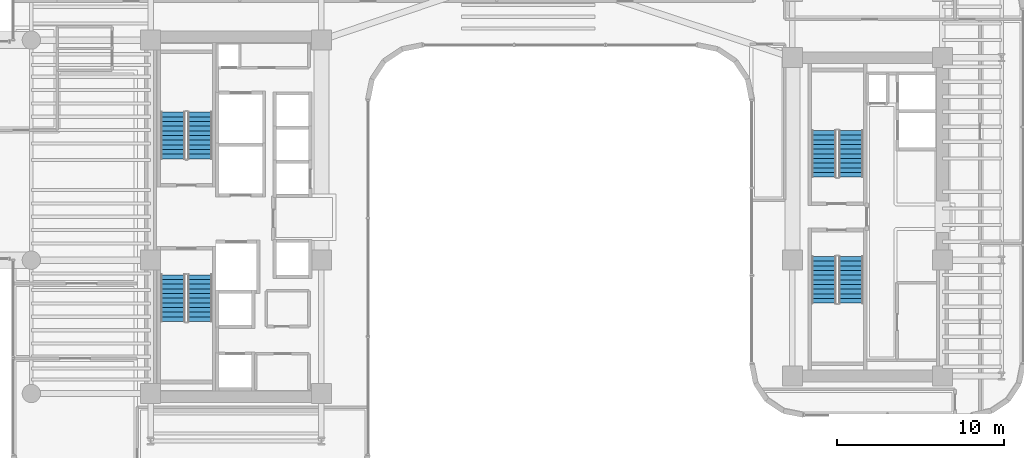
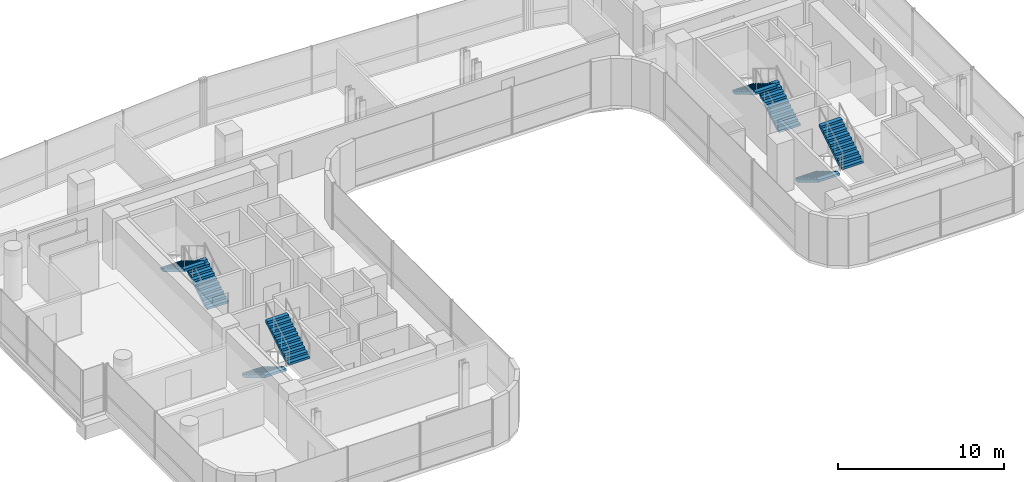
# One storey, part 30 of 34: 8 stair flights, 4 elements without a shape of their own.
"""IFC4 building model written with IfcOpenShell, lengths in metres."""

from ifc_helpers import new_model, si_unit, direction, frame, origin, place, context, subcontext, project, spatial, polyline, outline, extrude, material, type_object, element, aggregate, save


model = new_model("IFC4")

# Units and contexts
model_context = context("Model", 3, precision=1e-05, world=origin(), true_north=direction((0.0, 1.0)))
body_context = subcontext(model_context, "Body", "Model", "MODEL_VIEW")
ifc_project = project(units=[si_unit("LENGTHUNIT", "METRE"), si_unit("AREAUNIT", "SQUARE_METRE"), si_unit("VOLUMEUNIT", "CUBIC_METRE"), si_unit("PLANEANGLEUNIT", "RADIAN"), si_unit("MASSUNIT", "GRAM", prefix="KILO")], contexts=[model_context])

# Site, building, storey
site_placement = place(None, origin())
site = spatial("IfcSite", under=ifc_project, at=site_placement, CompositionType="ELEMENT")
building_placement = place(site_placement, origin())
building = spatial("IfcBuilding", under=site, at=building_placement, Name="Valdorenza Pilgrim Sanctuary Tower", CompositionType="ELEMENT")
storey_placement = place(building_placement, frame((0.0, 0.0, 142.699951171875)))
storey = spatial("IfcBuildingStorey", under=building, at=storey_placement, Name="L36", CompositionType="ELEMENT", Elevation=142.699951171875)

# Stair, stair flights
ifc_material = material(Name="Concrete C40/50", Category="concrete")
stair_type = type_object("IfcStairType", Name="STR-DOG-CORE", PredefinedType="HALF_TURN_STAIR", material=ifc_material)
stair_1_placement = place(storey_placement, origin())
stair_1 = element("IfcStair", 1, at=stair_1_placement, inside=storey, type_object=stair_type, Name="L36 ST-A1", PredefinedType="HALF_TURN_STAIR")
stair_flight_type = type_object("IfcStairFlightType", Name="STF-RC-1400", PredefinedType="STRAIGHT", material=ifc_material)
stair_flight_1_placement = place(storey_placement, frame((-19.679931640625, 3.47998046875, 0.0), z_axis=(0.0, 0.0, 1.0), x_axis=(0.0, 1.0, 0.0)))
stair_flight_1 = element("IfcStairFlight", 2, at=stair_flight_1_placement, type_object=stair_flight_type, Name="ST-A1 flight 1", NumberOfRisers=11, NumberOfTreads=10, PredefinedType="STRAIGHT", RiserHeight=0.168181818, TreadLength=0.28, context=body_context, shape_type="SweptSolid", body=[
    extrude(outline(polyline([(0.0, 0.0), (0.0, 0.168212890625), (0.280029296875, 0.168212890625), (0.280029296875, 0.33642578125), (0.56005859375, 0.33642578125), (0.56005859375, 0.504638671875), (0.840087890625, 0.504638671875), (0.840087890625, 0.672607421875), (1.1201171875, 0.672607421875), (1.1201171875, 0.8408203125), (1.39990234375, 0.8408203125), (1.39990234375, 1.009033203125), (1.679931640625, 1.009033203125), (1.679931640625, 1.17724609375), (1.9599609375, 1.17724609375), (1.9599609375, 1.345458984375), (2.239990234375, 1.345458984375), (2.239990234375, 1.513671875), (2.52001953125, 1.513671875), (2.52001953125, 1.681884765625), (2.800048828125, 1.681884765625), (2.800048828125, 1.85009765625), (2.800048828125, 1.5068359375), (0.291015625, 0.0), (0.0, 0.0)])), frame((0.0, 0.739990234375, 0.0), z_axis=(0.0, -1.0, 0.0), x_axis=(1.0, 0.0, 0.0)), (0.0, 0.0, 1.0), 1.47998046875),
])
stair_flight_2_placement = place(storey_placement, frame((-21.31005859375, 6.280029296875, 1.85009765625), z_axis=(0.0, 0.0, 1.0), x_axis=(0.0, -1.0, 0.0)))
stair_flight_2 = element("IfcStairFlight", 3, at=stair_flight_2_placement, type_object=stair_flight_type, Name="ST-A1 flight 2", NumberOfRisers=11, NumberOfTreads=10, PredefinedType="STRAIGHT", RiserHeight=0.168181818, TreadLength=0.28, context=body_context, shape_type="SweptSolid", body=[
    extrude(outline(polyline([(0.0, 0.0), (0.0, 0.168212890625), (0.280029296875, 0.168212890625), (0.280029296875, 0.33642578125), (0.56005859375, 0.33642578125), (0.56005859375, 0.504638671875), (0.840087890625, 0.504638671875), (0.840087890625, 0.672607421875), (1.1201171875, 0.672607421875), (1.1201171875, 0.8408203125), (1.39990234375, 0.8408203125), (1.39990234375, 1.009033203125), (1.679931640625, 1.009033203125), (1.679931640625, 1.17724609375), (1.9599609375, 1.17724609375), (1.9599609375, 1.345458984375), (2.239990234375, 1.345458984375), (2.239990234375, 1.513671875), (2.52001953125, 1.513671875), (2.52001953125, 1.681884765625), (2.800048828125, 1.681884765625), (2.800048828125, 1.85009765625), (2.800048828125, 1.5068359375), (0.291015625, 0.0), (0.0, 0.0)])), frame((0.0, 0.739990234375, 0.0), z_axis=(0.0, -1.0, 0.0), x_axis=(1.0, 0.0, 0.0)), (0.0, 0.0, 1.0), 1.47998046875),
])
aggregate(stair_1, [stair_flight_1, stair_flight_2])

stair_2_placement = place(storey_placement, origin())
stair_2 = element("IfcStair", 4, at=stair_2_placement, inside=storey, type_object=stair_type, Name="L36 ST-A2", PredefinedType="HALF_TURN_STAIR")
stair_flight_3_placement = place(storey_placement, frame((-21.31005859375, -3.47998046875, 0.0), z_axis=(0.0, 0.0, 1.0), x_axis=(0.0, -1.0, 0.0)))
stair_flight_3 = element("IfcStairFlight", 5, at=stair_flight_3_placement, type_object=stair_flight_type, Name="ST-A2 flight 1", NumberOfRisers=11, NumberOfTreads=10, PredefinedType="STRAIGHT", RiserHeight=0.168181818, TreadLength=0.28, context=body_context, shape_type="SweptSolid", body=[
    extrude(outline(polyline([(0.0, 0.0), (0.0, 0.168212890625), (0.280029296875, 0.168212890625), (0.280029296875, 0.33642578125), (0.56005859375, 0.33642578125), (0.56005859375, 0.504638671875), (0.840087890625, 0.504638671875), (0.840087890625, 0.672607421875), (1.1201171875, 0.672607421875), (1.1201171875, 0.8408203125), (1.39990234375, 0.8408203125), (1.39990234375, 1.009033203125), (1.679931640625, 1.009033203125), (1.679931640625, 1.17724609375), (1.9599609375, 1.17724609375), (1.9599609375, 1.345458984375), (2.239990234375, 1.345458984375), (2.239990234375, 1.513671875), (2.52001953125, 1.513671875), (2.52001953125, 1.681884765625), (2.800048828125, 1.681884765625), (2.800048828125, 1.85009765625), (2.800048828125, 1.5068359375), (0.291015625, 0.0), (0.0, 0.0)])), frame((0.0, 0.739990234375, 0.0), z_axis=(0.0, -1.0, 0.0), x_axis=(1.0, 0.0, 0.0)), (0.0, 0.0, 1.0), 1.47998046875),
])
stair_flight_4_placement = place(storey_placement, frame((-19.679931640625, -6.280029296875, 1.85009765625), z_axis=(0.0, 0.0, 1.0), x_axis=(0.0, 1.0, 0.0)))
stair_flight_4 = element("IfcStairFlight", 6, at=stair_flight_4_placement, type_object=stair_flight_type, Name="ST-A2 flight 2", NumberOfRisers=11, NumberOfTreads=10, PredefinedType="STRAIGHT", RiserHeight=0.168181818, TreadLength=0.28, context=body_context, shape_type="SweptSolid", body=[
    extrude(outline(polyline([(0.0, 0.0), (0.0, 0.168212890625), (0.280029296875, 0.168212890625), (0.280029296875, 0.33642578125), (0.56005859375, 0.33642578125), (0.56005859375, 0.504638671875), (0.840087890625, 0.504638671875), (0.840087890625, 0.672607421875), (1.1201171875, 0.672607421875), (1.1201171875, 0.8408203125), (1.39990234375, 0.8408203125), (1.39990234375, 1.009033203125), (1.679931640625, 1.009033203125), (1.679931640625, 1.17724609375), (1.9599609375, 1.17724609375), (1.9599609375, 1.345458984375), (2.239990234375, 1.345458984375), (2.239990234375, 1.513671875), (2.52001953125, 1.513671875), (2.52001953125, 1.681884765625), (2.800048828125, 1.681884765625), (2.800048828125, 1.85009765625), (2.800048828125, 1.5068359375), (0.291015625, 0.0), (0.0, 0.0)])), frame((0.0, 0.739990234375, 0.0), z_axis=(0.0, -1.0, 0.0), x_axis=(1.0, 0.0, 0.0)), (0.0, 0.0, 1.0), 1.47998046875),
])
aggregate(stair_2, [stair_flight_3, stair_flight_4])

stair_3_placement = place(storey_placement, origin())
stair_3 = element("IfcStair", 7, at=stair_3_placement, inside=storey, type_object=stair_type, Name="L36 ST-B1", PredefinedType="HALF_TURN_STAIR")
stair_flight_5_placement = place(storey_placement, frame((19.3701171875, 2.3798828125, 0.0), z_axis=(0.0, 0.0, 1.0), x_axis=(0.0, 1.0, 0.0)))
stair_flight_5 = element("IfcStairFlight", 8, at=stair_flight_5_placement, type_object=stair_flight_type, Name="ST-B1 flight 1", NumberOfRisers=11, NumberOfTreads=10, PredefinedType="STRAIGHT", RiserHeight=0.168181818, TreadLength=0.28, context=body_context, shape_type="SweptSolid", body=[
    extrude(outline(polyline([(0.0, 0.0), (0.0, 0.168212890625), (0.280029296875, 0.168212890625), (0.280029296875, 0.33642578125), (0.56005859375, 0.33642578125), (0.56005859375, 0.504638671875), (0.840087890625, 0.504638671875), (0.840087890625, 0.672607421875), (1.1201171875, 0.672607421875), (1.1201171875, 0.8408203125), (1.39990234375, 0.8408203125), (1.39990234375, 1.009033203125), (1.679931640625, 1.009033203125), (1.679931640625, 1.17724609375), (1.9599609375, 1.17724609375), (1.9599609375, 1.345458984375), (2.239990234375, 1.345458984375), (2.239990234375, 1.513671875), (2.52001953125, 1.513671875), (2.52001953125, 1.681884765625), (2.800048828125, 1.681884765625), (2.800048828125, 1.85009765625), (2.800048828125, 1.5068359375), (0.291015625, 0.0), (0.0, 0.0)])), frame((0.0, 0.739990234375, 0.0), z_axis=(0.0, -1.0, 0.0), x_axis=(1.0, 0.0, 0.0)), (0.0, 0.0, 1.0), 1.47998046875),
])
stair_flight_6_placement = place(storey_placement, frame((17.739990234375, 5.179931640625, 1.85009765625), z_axis=(0.0, 0.0, 1.0), x_axis=(0.0, -1.0, 0.0)))
stair_flight_6 = element("IfcStairFlight", 9, at=stair_flight_6_placement, type_object=stair_flight_type, Name="ST-B1 flight 2", NumberOfRisers=11, NumberOfTreads=10, PredefinedType="STRAIGHT", RiserHeight=0.168181818, TreadLength=0.28, context=body_context, shape_type="SweptSolid", body=[
    extrude(outline(polyline([(0.0, 0.0), (0.0, 0.168212890625), (0.280029296875, 0.168212890625), (0.280029296875, 0.33642578125), (0.56005859375, 0.33642578125), (0.56005859375, 0.504638671875), (0.840087890625, 0.504638671875), (0.840087890625, 0.672607421875), (1.1201171875, 0.672607421875), (1.1201171875, 0.8408203125), (1.39990234375, 0.8408203125), (1.39990234375, 1.009033203125), (1.679931640625, 1.009033203125), (1.679931640625, 1.17724609375), (1.9599609375, 1.17724609375), (1.9599609375, 1.345458984375), (2.239990234375, 1.345458984375), (2.239990234375, 1.513671875), (2.52001953125, 1.513671875), (2.52001953125, 1.681884765625), (2.800048828125, 1.681884765625), (2.800048828125, 1.85009765625), (2.800048828125, 1.5068359375), (0.291015625, 0.0), (0.0, 0.0)])), frame((0.0, 0.739990234375, 0.0), z_axis=(0.0, -1.0, 0.0), x_axis=(1.0, 0.0, 0.0)), (0.0, 0.0, 1.0), 1.47998046875),
])
aggregate(stair_3, [stair_flight_5, stair_flight_6])

stair_4_placement = place(storey_placement, origin())
stair_4 = element("IfcStair", 10, at=stair_4_placement, inside=storey, type_object=stair_type, Name="L36 ST-B2", PredefinedType="HALF_TURN_STAIR")
stair_flight_7_placement = place(storey_placement, frame((17.739990234375, -2.3798828125, 0.0), z_axis=(0.0, 0.0, 1.0), x_axis=(0.0, -1.0, 0.0)))
stair_flight_7 = element("IfcStairFlight", 11, at=stair_flight_7_placement, type_object=stair_flight_type, Name="ST-B2 flight 1", NumberOfRisers=11, NumberOfTreads=10, PredefinedType="STRAIGHT", RiserHeight=0.168181818, TreadLength=0.28, context=body_context, shape_type="SweptSolid", body=[
    extrude(outline(polyline([(0.0, 0.0), (0.0, 0.168212890625), (0.280029296875, 0.168212890625), (0.280029296875, 0.33642578125), (0.56005859375, 0.33642578125), (0.56005859375, 0.504638671875), (0.840087890625, 0.504638671875), (0.840087890625, 0.672607421875), (1.1201171875, 0.672607421875), (1.1201171875, 0.8408203125), (1.39990234375, 0.8408203125), (1.39990234375, 1.009033203125), (1.679931640625, 1.009033203125), (1.679931640625, 1.17724609375), (1.9599609375, 1.17724609375), (1.9599609375, 1.345458984375), (2.239990234375, 1.345458984375), (2.239990234375, 1.513671875), (2.52001953125, 1.513671875), (2.52001953125, 1.681884765625), (2.800048828125, 1.681884765625), (2.800048828125, 1.85009765625), (2.800048828125, 1.5068359375), (0.291015625, 0.0), (0.0, 0.0)])), frame((0.0, 0.739990234375, 0.0), z_axis=(0.0, -1.0, 0.0), x_axis=(1.0, 0.0, 0.0)), (0.0, 0.0, 1.0), 1.47998046875),
])
stair_flight_8_placement = place(storey_placement, frame((19.3701171875, -5.179931640625, 1.85009765625), z_axis=(0.0, 0.0, 1.0), x_axis=(0.0, 1.0, 0.0)))
stair_flight_8 = element("IfcStairFlight", 12, at=stair_flight_8_placement, type_object=stair_flight_type, Name="ST-B2 flight 2", NumberOfRisers=11, NumberOfTreads=10, PredefinedType="STRAIGHT", RiserHeight=0.168181818, TreadLength=0.28, context=body_context, shape_type="SweptSolid", body=[
    extrude(outline(polyline([(0.0, 0.0), (0.0, 0.168212890625), (0.280029296875, 0.168212890625), (0.280029296875, 0.33642578125), (0.56005859375, 0.33642578125), (0.56005859375, 0.504638671875), (0.840087890625, 0.504638671875), (0.840087890625, 0.672607421875), (1.1201171875, 0.672607421875), (1.1201171875, 0.8408203125), (1.39990234375, 0.8408203125), (1.39990234375, 1.009033203125), (1.679931640625, 1.009033203125), (1.679931640625, 1.17724609375), (1.9599609375, 1.17724609375), (1.9599609375, 1.345458984375), (2.239990234375, 1.345458984375), (2.239990234375, 1.513671875), (2.52001953125, 1.513671875), (2.52001953125, 1.681884765625), (2.800048828125, 1.681884765625), (2.800048828125, 1.85009765625), (2.800048828125, 1.5068359375), (0.291015625, 0.0), (0.0, 0.0)])), frame((0.0, 0.739990234375, 0.0), z_axis=(0.0, -1.0, 0.0), x_axis=(1.0, 0.0, 0.0)), (0.0, 0.0, 1.0), 1.47998046875),
])
aggregate(stair_4, [stair_flight_7, stair_flight_8])

save(model, "model.ifc")
